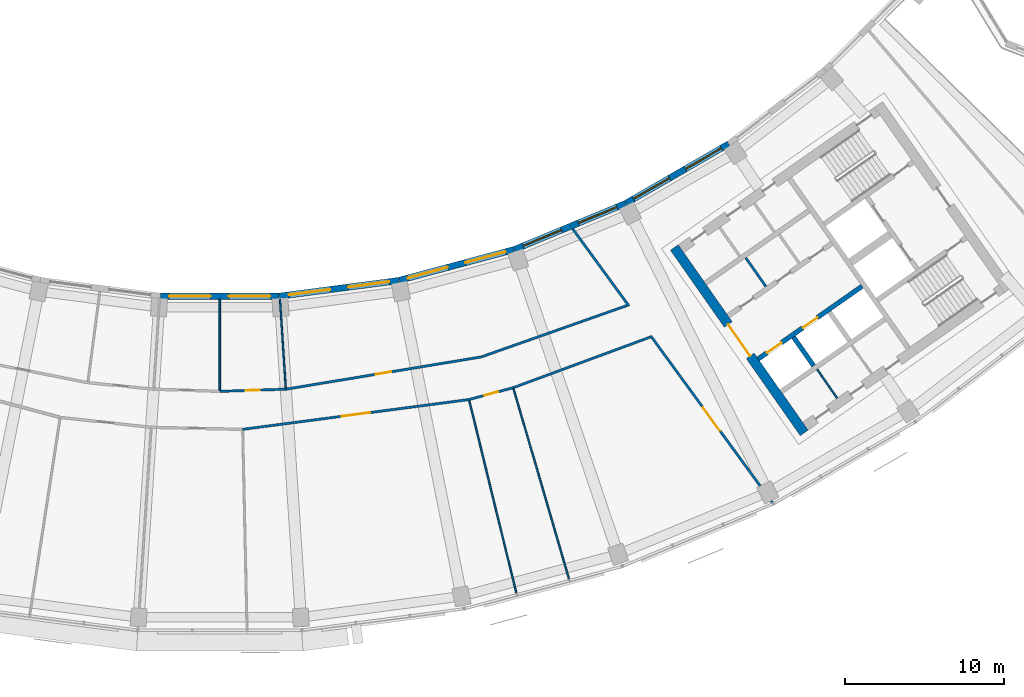
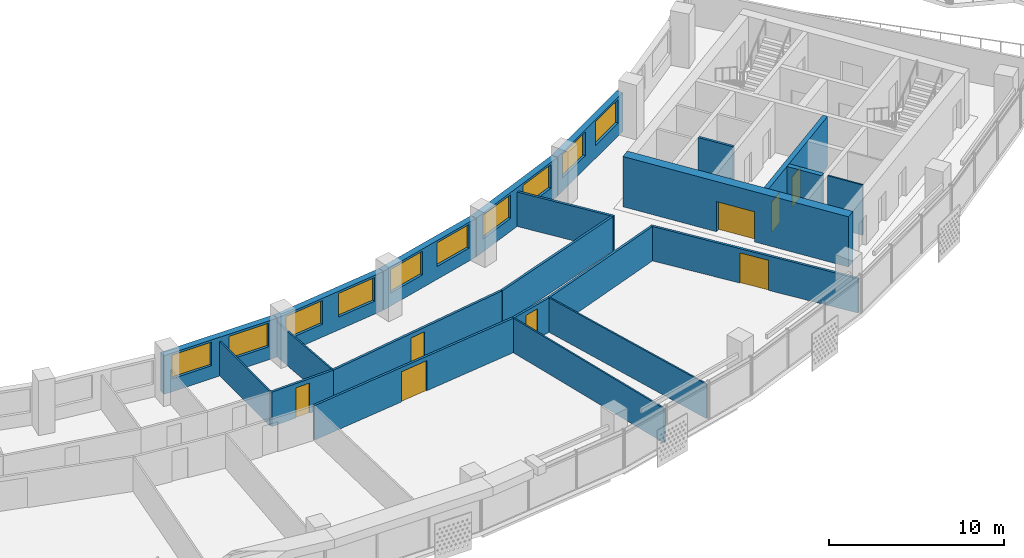
# One storey, part 6 of 29: 22 walls, 10 windows, 8 doors, 18 openings.
"""IFC4 building model written with IfcOpenShell, lengths in metres."""

import ifcopenshell
import ifcopenshell.guid

model = None  # the IFC model being written
_history = None  # IfcOwnerHistory: only IFC2X3 demands one
_inside = {}  # id of a spatial element -> (the spatial element, [elements in it])
_under = {}  # id of a project, library or spatial element -> (it, [spatial elements below it])
_declared = {}  # id of a project -> (the project, [libraries it declares])
_typed = {}  # id of a type object -> (the type object, [elements of that type])
_made_of = {}  # id of a material, layer set ... -> (it, [elements and type objects made of it])


def new_model(schema):
    """Start an empty IFC model of exactly this schema.

    Asked for "IFC4X3", IfcOpenShell would pick the latest addendum, in which some entities
    have other attributes; the version numbers below select the first issue.
    IFC2X3 requires an IfcOwnerHistory on every rooted entity: one is made here for all.
    """
    global model, _history
    if schema == "IFC4X3":
        model = ifcopenshell.file(schema_version=(4, 3, 0, 0))
    else:
        model = ifcopenshell.file(schema=schema)
    _inside.clear()
    _under.clear()
    _declared.clear()
    _typed.clear()
    _made_of.clear()
    _history = None
    if model.schema == "IFC2X3":
        org = make("IfcOrganization", Name="unknown")
        user = make(
            "IfcPersonAndOrganization",
            ThePerson=make("IfcPerson", FamilyName="unknown"),
            TheOrganization=org,
        )
        app = make(
            "IfcApplication",
            ApplicationDeveloper=org,
            Version="unknown",
            ApplicationFullName="unknown",
            ApplicationIdentifier="unknown",
        )
        _history = make(
            "IfcOwnerHistory",
            OwningUser=user,
            OwningApplication=app,
            ChangeAction="ADDED",
            CreationDate=0,
        )
    return model


def make(cls, **values):
    """One entity of the class cls with the attributes given. An attribute that is None is left unset."""
    return model.create_entity(
        cls, **{name: value for name, value in values.items() if value is not None}
    )


def rooted(cls, **values):
    """An entity with a GlobalId (a new one), such as an element, a storey or a relation."""
    return make(cls, GlobalId=ifcopenshell.guid.new(), OwnerHistory=_history, **values)


def si_unit(unit_type, name, prefix=None):
    """IfcSIUnit, for example si_unit("LENGTHUNIT", "METRE", prefix="MILLI")."""
    return make("IfcSIUnit", UnitType=unit_type, Prefix=prefix, Name=name)


def assignment(units):
    """IfcUnitAssignment: the units of a project."""
    return None if units is None else make("IfcUnitAssignment", Units=units)


def point(xyz):
    """IfcCartesianPoint."""
    return None if xyz is None else make("IfcCartesianPoint", Coordinates=xyz)


def direction(xyz):
    """IfcDirection."""
    return None if xyz is None else make("IfcDirection", DirectionRatios=xyz)


def frame(location, z_axis=None, x_axis=None):
    """IfcAxis2Placement3D, a coordinate frame: its origin and axes. An axis left out is left unset."""
    return make(
        "IfcAxis2Placement3D",
        Location=point(location),
        Axis=direction(z_axis),
        RefDirection=direction(x_axis),
    )


def frame_2d(location, x_axis=None):
    """IfcAxis2Placement2D, a coordinate frame in the plane: its origin and x axis."""
    return make(
        "IfcAxis2Placement2D", Location=point(location), RefDirection=direction(x_axis)
    )


def origin():
    """The frame at (0, 0, 0) with its axes left unset."""
    return frame((0.0, 0.0, 0.0))


def place(relative_to, where):
    """IfcLocalPlacement: puts the frame where relative to a parent placement (None: the world)."""
    return make(
        "IfcLocalPlacement", PlacementRelTo=relative_to, RelativePlacement=where
    )


def context(
    kind, dimensions, precision=None, world=None, true_north=None, identifier=None
):
    """IfcGeometricRepresentationContext, for example the 3D "Model" context."""
    return make(
        "IfcGeometricRepresentationContext",
        ContextIdentifier=identifier,
        ContextType=kind,
        CoordinateSpaceDimension=dimensions,
        Precision=precision,
        WorldCoordinateSystem=world,
        TrueNorth=true_north,
    )


def subcontext(parent, identifier, kind, view, scale=None):
    """IfcGeometricRepresentationSubContext, for example "Body" below "Model"."""
    return make(
        "IfcGeometricRepresentationSubContext",
        ContextIdentifier=identifier,
        ContextType=kind,
        ParentContext=parent,
        TargetScale=scale,
        TargetView=view,
    )


def project(units=None, contexts=None):
    """IfcProject with its units and contexts."""
    return rooted(
        "IfcProject",
        Name="project",
        RepresentationContexts=contexts,
        UnitsInContext=assignment(units),
    )


def spatial(cls, under=None, at=None, **own):
    """A site, building, storey or space (cls), placed at a placement, below another one or the project."""
    s = rooted(cls, ObjectPlacement=at, **own)
    if under is not None:
        _under.setdefault(under.id(), (under, []))[1].append(s)
    return s


def profile(cls, at=None, kind="AREA", **sizes):
    """A parametric profile (cls). Its sizes go by their IFC names, for example OverallWidth=200.0."""
    return make(cls, ProfileType=kind, Position=at, **sizes)


def rectangle(**sizes):
    """IfcRectangleProfileDef."""
    return profile("IfcRectangleProfileDef", **sizes)


def extrude(swept, where, along, depth):
    """IfcExtrudedAreaSolid: the profile swept, set in the frame where, extruded along a direction by depth."""
    return make(
        "IfcExtrudedAreaSolid",
        SweptArea=swept,
        Position=where,
        ExtrudedDirection=direction(along),
        Depth=depth,
    )


def shape(context_of_items, identifier, shape_type, items):
    """IfcShapeRepresentation: the items that make up one representation, for example the "Body"."""
    return make(
        "IfcShapeRepresentation",
        ContextOfItems=context_of_items,
        RepresentationIdentifier=identifier,
        RepresentationType=shape_type,
        Items=items,
    )


def material(Name=None, Category=None):
    """IfcMaterial."""
    return make("IfcMaterial", Name=Name, Category=Category)


def layer(
    of_material, thickness, ventilated=None, Name=None, Category=None, Priority=None
):
    """IfcMaterialLayer: one layer of a wall or slab, of a material (None: an air gap)."""
    return make(
        "IfcMaterialLayer",
        Material=of_material,
        LayerThickness=thickness,
        IsVentilated=ventilated,
        Name=Name,
        Category=Category,
        Priority=Priority,
    )


def layer_set(layers, Name=None):
    """IfcMaterialLayerSet."""
    return make("IfcMaterialLayerSet", MaterialLayers=layers, LayerSetName=Name)


def made_of(thing, what):
    """Note that an element or type object is made of a material, layer set ...; save() writes the relation."""
    if what is not None:
        _made_of.setdefault(what.id(), (what, []))[1].append(thing)
    return thing


def type_object(cls, material=None, **own):
    """A type object (cls), such as IfcWallType, which elements share."""
    return made_of(rooted(cls, **own), material)


def element(
    cls,
    number,
    at=None,
    inside=None,
    cuts=None,
    type_object=None,
    material=None,
    context=None,
    identifier="Body",
    shape_type=None,
    held_by="IfcProductDefinitionShape",
    body=None,
    shapes=None,
    **own,
):
    """One element of the class cls, such as IfcWall. Its Tag is "e" and its number.

    at: its placement. inside: the storey or other place that contains it. cuts: it is an
    opening in that element (IfcRelVoidsElement). A single representation is given by context,
    identifier, shape_type and body (its items); several are given by shapes. held_by: the class
    of the entity that holds the representations. save() writes the other relations.
    """
    e = rooted(cls, Tag="e%d" % number, ObjectPlacement=at, **own)
    if body is not None:
        shapes = [shape(context, identifier, shape_type, body)]
    if shapes is not None:
        e.Representation = make(held_by, Representations=shapes)
    if inside is not None:
        _inside.setdefault(inside.id(), (inside, []))[1].append(e)
    if cuts is not None:
        rooted(
            "IfcRelVoidsElement", RelatingBuildingElement=cuts, RelatedOpeningElement=e
        )
    if type_object is not None:
        _typed.setdefault(type_object.id(), (type_object, []))[1].append(e)
    return made_of(e, material)


def fill(opening, filler):
    """IfcRelFillsElement: the door or window that sits in an opening."""
    return rooted(
        "IfcRelFillsElement",
        RelatingOpeningElement=opening,
        RelatedBuildingElement=filler,
    )


def aggregate(whole, parts):
    """IfcRelAggregates: a whole, such as a stair, and the parts it consists of."""
    return rooted("IfcRelAggregates", RelatingObject=whole, RelatedObjects=parts)


def save(model, path):
    """Write the relations noted so far, then the file.

    IfcRelAggregates (storeys below a building ...), IfcRelContainedInSpatialStructure (elements
    in a storey), IfcRelDefinesByType, IfcRelAssociatesMaterial and IfcRelDeclares: one each for
    every whole, place, type object, material and project.
    """
    for whole, parts in _under.values():
        aggregate(whole, parts)
    for where, things in _inside.values():
        rooted(
            "IfcRelContainedInSpatialStructure",
            RelatedElements=things,
            RelatingStructure=where,
        )
    for kind, things in _typed.values():
        rooted("IfcRelDefinesByType", RelatedObjects=things, RelatingType=kind)
    for what, things in _made_of.values():
        rooted("IfcRelAssociatesMaterial", RelatedObjects=things, RelatingMaterial=what)
    for by, libraries in _declared.values():
        rooted("IfcRelDeclares", RelatingContext=by, RelatedDefinitions=libraries)
    model.write(path)


model = new_model("IFC4")

# Units and contexts
model_context = context("Model", 3, precision=1e-05, world=origin(), true_north=direction((0.0, 1.0)))
body_context = subcontext(model_context, "Body", "Model", "MODEL_VIEW")
ifc_project = project(units=[si_unit("LENGTHUNIT", "METRE"), si_unit("AREAUNIT", "SQUARE_METRE"), si_unit("VOLUMEUNIT", "CUBIC_METRE"), si_unit("PLANEANGLEUNIT", "RADIAN"), si_unit("MASSUNIT", "GRAM", prefix="KILO")], contexts=[model_context])

# Site, building, storey
site_placement = place(None, origin())
site = spatial("IfcSite", under=ifc_project, at=site_placement, CompositionType="ELEMENT")
building_placement = place(site_placement, origin())
building = spatial("IfcBuilding", under=site, at=building_placement, Name="Qamariyya Broadcast Tower", CompositionType="ELEMENT")
storey_placement = place(building_placement, frame((0.0, 0.0, 207.5)))
storey = spatial("IfcBuildingStorey", under=building, at=storey_placement, Name="L49", CompositionType="ELEMENT", Elevation=207.5)

# Wall, opening, door
ifc_material_1 = material(Name="Concrete C60/75", Category="concrete")
ifc_layer_1 = layer(ifc_material_1, 0.60009765625)
ifc_layer_set_1 = layer_set([ifc_layer_1], Name="Core wall 600 mm Concrete C60/75")
wall_type_1 = type_object("IfcWallType", Name="Core wall 600 mm Concrete C60/75", PredefinedType="SHEAR", material=ifc_layer_set_1)
wall_1_placement = place(storey_placement, frame((36.66748046875, -66.005126953125, 0.0), z_axis=(0.0, 0.0, 1.0), x_axis=(-0.573568499524, 0.819157601658, 0.0)))
wall_1 = element("IfcWall", 1, at=wall_1_placement, inside=storey, type_object=wall_type_1, Name="k-E-L49-WA", PredefinedType="SHEAR", context=body_context, shape_type="SweptSolid", body=[
    extrude(rectangle(XDim=14.19970703125, YDim=0.60009765625, at=frame_2d((7.099853515625, 0.0))), origin(), (0.0, 0.0, 1.0), 3.5),
])
opening_1_placement = place(wall_1_placement, frame((5.89990234375, 0.0, 0.0)))
opening_1 = element("IfcOpeningElement", 2, at=opening_1_placement, cuts=wall_1, Name="Opening KD3-E1", PredefinedType="OPENING", context=body_context, shape_type="SweptSolid", body=[
    extrude(rectangle(XDim=2.39990234375, YDim=2.10009765625, at=frame_2d((1.199951171875, 1.050048828125))), frame((0.0, 0.31005859375, 0.0), z_axis=(0.0, -1.0, 0.0), x_axis=(1.0, 0.0, 0.0)), (0.0, 0.0, 1.0), 0.6201171875),
])
ifc_material_2 = material(Name="Steel fire-resisting door leaf", Category="steel")
door_type_1 = type_object("IfcDoorType", Name="Lift lobby door KD3", OperationType="DOUBLE_DOOR_SINGLE_SWING", PredefinedType="DOOR", material=ifc_material_2)
door_1_placement = place(opening_1_placement, origin())
door_1 = element("IfcDoor", 3, at=door_1_placement, inside=storey, type_object=door_type_1, Name="k-E-L49-WA-D1", OperationType="DOUBLE_DOOR_SINGLE_SWING", OverallHeight=2.10009765625, OverallWidth=2.39990234375, PredefinedType="DOOR", context=body_context, shape_type="SweptSolid", body=[
    extrude(rectangle(XDim=2.39990234375, YDim=2.10009765625, at=frame_2d((1.199951171875, 1.050048828125))), frame((0.0, 0.02490234375, 0.0), z_axis=(0.0, -1.0, 0.0), x_axis=(1.0, 0.0, 0.0)), (0.0, 0.0, 1.0), 0.050048828125),
])
fill(opening_1, door_1)

ifc_material_3 = material(Name="Gypsum board partition")
ifc_layer_2 = layer(ifc_material_3, 0.14990234375)
ifc_layer_set_2 = layer_set([ifc_layer_2], Name="Corridor partition 150 EI 60")
wall_type_2 = type_object("IfcWallType", Name="Corridor partition 150 EI 60", PredefinedType="PARTITIONING", material=ifc_layer_set_2)
wall_2_placement = place(storey_placement, frame((0.0, -63.39990234375, 0.0), z_axis=(0.0, 0.0, 1.0), x_axis=(0.999464584765, 0.032719165634, 0.0)))
wall_2 = element("IfcWall", 4, at=wall_2_placement, inside=storey, type_object=wall_type_2, Name="Partition L49-018", PredefinedType="PARTITIONING", context=body_context, shape_type="SweptSolid", body=[
    extrude(rectangle(XDim=4.148681640625, YDim=0.14990234375, at=frame_2d((2.07421875, 0.0))), origin(), (0.0, 0.0, 1.0), 2.39990234375),
])
opening_2_placement = place(wall_2_placement, frame((1.62451171875, 0.0, 0.0)))
opening_2 = element("IfcOpeningElement", 5, at=opening_2_placement, cuts=wall_2, Name="Opening L49-D12", PredefinedType="OPENING", context=body_context, shape_type="SweptSolid", body=[
    extrude(rectangle(XDim=0.89990234375, YDim=2.10009765625, at=frame_2d((0.449951171875, 1.050048828125))), frame((0.0, 0.0849609375, 0.0), z_axis=(0.0, -1.0, 0.0), x_axis=(1.0, 0.0, 0.0)), (0.0, 0.0, 1.0), 0.169921875),
])
ifc_material_4 = material(Name="Timber fire door leaf", Category="wood")
door_type_2 = type_object("IfcDoorType", Name="Fire door 900 x 2100 FD60", OperationType="NOTDEFINED", PredefinedType="DOOR", material=ifc_material_4)
door_2_placement = place(opening_2_placement, origin())
door_2 = element("IfcDoor", 6, at=door_2_placement, inside=storey, type_object=door_type_2, Name="Door L49-D12", OperationType="SINGLE_SWING_RIGHT", OverallHeight=2.10009765625, OverallWidth=0.89990234375, PredefinedType="DOOR", context=body_context, shape_type="SweptSolid", body=[
    extrude(rectangle(XDim=0.89990234375, YDim=2.10009765625, at=frame_2d((0.449951171875, 1.050048828125))), frame((0.0, 0.02490234375, 0.0), z_axis=(0.0, -1.0, 0.0), x_axis=(1.0, 0.0, 0.0)), (0.0, 0.0, 1.0), 0.050048828125),
])
fill(opening_2, door_2)

wall_3_placement = place(storey_placement, frame((15.637939453125, -63.914794921875, 0.0), z_axis=(0.0, 0.0, 1.0), x_axis=(-0.991446403545, -0.130514477735, 0.0)))
wall_3 = element("IfcWall", 7, at=wall_3_placement, inside=storey, type_object=wall_type_2, Name="Partition L49-020", PredefinedType="PARTITIONING", context=body_context, shape_type="SweptSolid", body=[
    extrude(rectangle(XDim=14.3232421875, YDim=0.14990234375, at=frame_2d((7.16162109375, 0.0))), origin(), (0.0, 0.0, 1.0), 2.39990234375),
])
opening_3_placement = place(wall_3_placement, frame((6.26171875, 0.0, 0.0)))
opening_3 = element("IfcOpeningElement", 8, at=opening_3_placement, cuts=wall_3, Name="Opening L49-D05", PredefinedType="OPENING", context=body_context, shape_type="SweptSolid", body=[
    extrude(rectangle(XDim=1.800048828125, YDim=2.10009765625, at=frame_2d((0.89990234375, 1.050048828125))), frame((0.0, 0.0849609375, 0.0), z_axis=(0.0, -1.0, 0.0), x_axis=(1.0, 0.0, 0.0)), (0.0, 0.0, 1.0), 0.169921875),
])
door_type_3 = type_object("IfcDoorType", Name="Double fire door 1800 x 2100 FD60", OperationType="NOTDEFINED", PredefinedType="DOOR", material=ifc_material_4)
door_3_placement = place(opening_3_placement, origin())
door_3 = element("IfcDoor", 9, at=door_3_placement, inside=storey, type_object=door_type_3, Name="Door L49-D05", OperationType="DOUBLE_DOOR_SINGLE_SWING", OverallHeight=2.10009765625, OverallWidth=1.800048828125, PredefinedType="DOOR", context=body_context, shape_type="SweptSolid", body=[
    extrude(rectangle(XDim=1.800048828125, YDim=2.10009765625, at=frame_2d((0.89990234375, 1.050048828125))), frame((0.0, 0.02490234375, 0.0), z_axis=(0.0, -1.0, 0.0), x_axis=(1.0, 0.0, 0.0)), (0.0, 0.0, 1.0), 0.050048828125),
])
fill(opening_3, door_3)

wall_4_placement = place(storey_placement, frame((4.146484375, -63.26416015625, 0.0), z_axis=(0.0, 0.0, 1.0), x_axis=(0.986644082258, 0.162890929598, 0.0)))
wall_4 = element("IfcWall", 10, at=wall_4_placement, inside=storey, type_object=wall_type_2, Name="Partition L49-023", PredefinedType="PARTITIONING", context=body_context, shape_type="SweptSolid", body=[
    extrude(rectangle(XDim=12.4189453125, YDim=0.14990234375, at=frame_2d((6.20947265625, 0.0))), origin(), (0.0, 0.0, 1.0), 2.39990234375),
])
opening_4_placement = place(wall_4_placement, frame((5.70947265625, 0.0, 0.0)))
opening_4 = element("IfcOpeningElement", 11, at=opening_4_placement, cuts=wall_4, Name="Opening L49-D13", PredefinedType="OPENING", context=body_context, shape_type="SweptSolid", body=[
    extrude(rectangle(XDim=1.0, YDim=2.10009765625, at=frame_2d((0.5, 1.050048828125))), frame((0.0, 0.0849609375, 0.0), z_axis=(0.0, -1.0, 0.0), x_axis=(1.0, 0.0, 0.0)), (0.0, 0.0, 1.0), 0.169921875),
])
door_type_4 = type_object("IfcDoorType", Name="Fire door 1000 x 2100 FD60", OperationType="NOTDEFINED", PredefinedType="DOOR", material=ifc_material_4)
door_4_placement = place(opening_4_placement, origin())
door_4 = element("IfcDoor", 12, at=door_4_placement, inside=storey, type_object=door_type_4, Name="Door L49-D13", OperationType="SINGLE_SWING_RIGHT", OverallHeight=2.10009765625, OverallWidth=1.0, PredefinedType="DOOR", context=body_context, shape_type="SweptSolid", body=[
    extrude(rectangle(XDim=1.0, YDim=2.10009765625, at=frame_2d((0.5, 1.050048828125))), frame((0.0, 0.02490234375, 0.0), z_axis=(0.0, -1.0, 0.0), x_axis=(1.0, 0.0, 0.0)), (0.0, 0.0, 1.0), 0.050048828125),
])
fill(opening_4, door_4)

wall_5_placement = place(storey_placement, frame((18.41455078125, -63.170654296875, 0.0), z_axis=(0.0, 0.0, 1.0), x_axis=(-0.965912791771, -0.258867685687, 0.0)))
wall_5 = element("IfcWall", 13, at=wall_5_placement, inside=storey, type_object=wall_type_2, Name="Partition L49-024", PredefinedType="PARTITIONING", context=body_context, shape_type="SweptSolid", body=[
    extrude(rectangle(XDim=2.87451171875, YDim=0.14990234375, at=frame_2d((1.437255859375, 0.0))), origin(), (0.0, 0.0, 1.0), 2.39990234375),
])
opening_5_placement = place(wall_5_placement, frame((0.9873046875, 0.0, 0.0)))
opening_5 = element("IfcOpeningElement", 14, at=opening_5_placement, cuts=wall_5, Name="Opening L49-D06", PredefinedType="OPENING", context=body_context, shape_type="SweptSolid", body=[
    extrude(rectangle(XDim=0.89990234375, YDim=2.10009765625, at=frame_2d((0.449951171875, 1.050048828125))), frame((0.0, 0.0849609375, 0.0), z_axis=(0.0, -1.0, 0.0), x_axis=(1.0, 0.0, 0.0)), (0.0, 0.0, 1.0), 0.169921875),
])
door_5_placement = place(opening_5_placement, origin())
door_5 = element("IfcDoor", 15, at=door_5_placement, inside=storey, type_object=door_type_2, Name="Door L49-D06", OperationType="SINGLE_SWING_RIGHT", OverallHeight=2.10009765625, OverallWidth=0.89990234375, PredefinedType="DOOR", context=body_context, shape_type="SweptSolid", body=[
    extrude(rectangle(XDim=0.89990234375, YDim=2.10009765625, at=frame_2d((0.449951171875, 1.050048828125))), frame((0.0, 0.02490234375, 0.0), z_axis=(0.0, -1.0, 0.0), x_axis=(1.0, 0.0, 0.0)), (0.0, 0.0, 1.0), 0.050048828125),
])
fill(opening_5, door_5)

# Walls
wall_6_placement = place(storey_placement, frame((16.418212890625, -61.236572265625, 0.0), z_axis=(0.0, 0.0, 1.0), x_axis=(0.943087461988, 0.332544792533, 0.0)))
element("IfcWall", 16, at=wall_6_placement, inside=storey, type_object=wall_type_2, Name="Partition L49-025", PredefinedType="PARTITIONING", context=body_context, shape_type="SweptSolid", body=[
    extrude(rectangle(XDim=9.694580078125, YDim=0.14990234375, at=frame_2d((4.84716796875, 0.0))), origin(), (0.0, 0.0, 1.0), 2.39990234375),
])
wall_7_placement = place(storey_placement, frame((18.41455078125, -63.170654296875, 0.0), z_axis=(0.0, 0.0, 1.0), x_axis=(0.938039704857, 0.34652779414, 0.0)))
element("IfcWall", 17, at=wall_7_placement, inside=storey, type_object=wall_type_2, Name="Partition L49-026", PredefinedType="PARTITIONING", context=body_context, shape_type="SweptSolid", body=[
    extrude(rectangle(XDim=9.160400390625, YDim=0.14990234375, at=frame_2d((4.580078125, 0.0))), origin(), (0.0, 0.0, 1.0), 2.39990234375),
])
wall_8_placement = place(storey_placement, frame((22.135498046875, -53.1943359375, 0.0), z_axis=(0.0, 0.0, 1.0), x_axis=(0.589297062476, -0.807916438846, 0.0)))
element("IfcWall", 18, at=wall_8_placement, inside=storey, type_object=wall_type_2, Name="Partition L49-028", PredefinedType="PARTITIONING", context=body_context, shape_type="SweptSolid", body=[
    extrude(rectangle(XDim=6.008056640625, YDim=0.14990234375, at=frame_2d((3.00390625, 0.0))), origin(), (0.0, 0.0, 1.0), 2.39990234375),
])

# Wall, opening, door
wall_9_placement = place(storey_placement, frame((34.668212890625, -70.37744140625, 0.0), z_axis=(0.0, 0.0, 1.0), x_axis=(-0.589273648147, 0.807933516819, 0.0)))
wall_9 = element("IfcWall", 19, at=wall_9_placement, inside=storey, type_object=wall_type_2, Name="Partition L49-030", PredefinedType="PARTITIONING", context=body_context, shape_type="SweptSolid", body=[
    extrude(rectangle(XDim=12.956298828125, YDim=0.14990234375, at=frame_2d((6.47802734375, 0.0))), origin(), (0.0, 0.0, 1.0), 2.39990234375),
])
opening_6_placement = place(wall_9_placement, frame((5.578125, 0.0, 0.0)))
opening_6 = element("IfcOpeningElement", 20, at=opening_6_placement, cuts=wall_9, Name="Opening L49-D07", PredefinedType="OPENING", context=body_context, shape_type="SweptSolid", body=[
    extrude(rectangle(XDim=1.800048828125, YDim=2.10009765625, at=frame_2d((0.89990234375, 1.050048828125))), frame((0.0, 0.0849609375, 0.0), z_axis=(0.0, -1.0, 0.0), x_axis=(1.0, 0.0, 0.0)), (0.0, 0.0, 1.0), 0.169921875),
])
door_6_placement = place(opening_6_placement, origin())
door_6 = element("IfcDoor", 21, at=door_6_placement, inside=storey, type_object=door_type_3, Name="Door L49-D07", OperationType="DOUBLE_DOOR_SINGLE_SWING", OverallHeight=2.10009765625, OverallWidth=1.800048828125, PredefinedType="DOOR", context=body_context, shape_type="SweptSolid", body=[
    extrude(rectangle(XDim=1.800048828125, YDim=2.10009765625, at=frame_2d((0.89990234375, 1.050048828125))), frame((0.0, 0.02490234375, 0.0), z_axis=(0.0, -1.0, 0.0), x_axis=(1.0, 0.0, 0.0)), (0.0, 0.0, 1.0), 0.050048828125),
])
fill(opening_6, door_6)

# Wall
ifc_material_5 = material(Name="Gypsum board partition on steel studs", Category="steel")
ifc_layer_3 = layer(ifc_material_5, 0.14990234375)
ifc_layer_set_3 = layer_set([ifc_layer_3], Name="Gypsum board partition 150 mm")
wall_type_3 = type_object("IfcWallType", Name="Gypsum board partition 150 mm", PredefinedType="PARTITIONING", material=ifc_layer_set_3)
wall_10_placement = place(storey_placement, frame((34.26611328125, -56.822021484375, 0.0), z_axis=(0.0, 0.0, 1.0), x_axis=(-0.573581496053, 0.819148501424, 0.0)))
element("IfcWall", 22, at=wall_10_placement, inside=storey, type_object=wall_type_3, Name="k-E-L49-NC300", PredefinedType="PARTITIONING", context=body_context, shape_type="SweptSolid", body=[
    extrude(rectangle(XDim=2.2001953125, YDim=0.14990234375, at=frame_2d((1.10009765625, 0.0))), origin(), (0.0, 0.0, 1.0), 3.5),
])

# Wall, openings, doors
ifc_layer_4 = layer(ifc_material_1, 0.300048828125)
ifc_layer_set_4 = layer_set([ifc_layer_4], Name="Lift shaft wall 300 mm Concrete C60/75")
wall_type_4 = type_object("IfcWallType", Name="Lift shaft wall 300 mm Concrete C60/75", PredefinedType="SOLIDWALL", material=ifc_layer_set_4)
wall_11_placement = place(storey_placement, frame((33.787353515625, -61.368896484375, 0.0), z_axis=(0.0, 0.0, 1.0), x_axis=(0.819152564888, 0.573575692858, 0.0)))
wall_11 = element("IfcWall", 23, at=wall_11_placement, inside=storey, type_object=wall_type_4, Name="k-E-L49-SF0", PredefinedType="SOLIDWALL", context=body_context, shape_type="SweptSolid", body=[
    extrude(rectangle(XDim=7.9501953125, YDim=0.300048828125, at=frame_2d((3.97509765625, 0.0))), origin(), (0.0, 0.0, 1.0), 3.5),
])
opening_7_placement = place(wall_11_placement, frame((0.675048828125, 0.0, 0.0)))
opening_7 = element("IfcOpeningElement", 24, at=opening_7_placement, cuts=wall_11, Name="Opening LD", PredefinedType="OPENING", context=body_context, shape_type="SweptSolid", body=[
    extrude(rectangle(XDim=1.10009765625, YDim=2.10009765625, at=frame_2d((0.550048828125, 1.050048828125))), frame((0.0, 0.159912109375, 0.0), z_axis=(0.0, -1.0, 0.0), x_axis=(1.0, 0.0, 0.0)), (0.0, 0.0, 1.0), 0.320068359375),
])
opening_8_placement = place(wall_11_placement, frame((3.425048828125, 0.0, 0.0)))
opening_8 = element("IfcOpeningElement", 25, at=opening_8_placement, cuts=wall_11, Name="Opening LD", PredefinedType="OPENING", context=body_context, shape_type="SweptSolid", body=[
    extrude(rectangle(XDim=1.10009765625, YDim=2.10009765625, at=frame_2d((0.550048828125, 1.050048828125))), frame((0.0, 0.159912109375, 0.0), z_axis=(0.0, -1.0, 0.0), x_axis=(1.0, 0.0, 0.0)), (0.0, 0.0, 1.0), 0.320068359375),
])
door_type_5 = type_object("IfcDoorType", Name="Lift landing door LD", OperationType="DOUBLE_DOOR_SLIDING", PredefinedType="DOOR", material=ifc_material_2)
door_7_placement = place(opening_7_placement, origin())
door_7 = element("IfcDoor", 26, at=door_7_placement, inside=storey, type_object=door_type_5, Name="k-E-L49-SF0-D5", OperationType="DOUBLE_DOOR_SLIDING", OverallHeight=2.10009765625, OverallWidth=1.10009765625, PredefinedType="DOOR", context=body_context, shape_type="SweptSolid", body=[
    extrude(rectangle(XDim=1.10009765625, YDim=2.10009765625, at=frame_2d((0.550048828125, 1.050048828125))), frame((0.0, 0.02490234375, 0.0), z_axis=(0.0, -1.0, 0.0), x_axis=(1.0, 0.0, 0.0)), (0.0, 0.0, 1.0), 0.050048828125),
])
fill(opening_7, door_7)
door_8_placement = place(opening_8_placement, origin())
door_8 = element("IfcDoor", 27, at=door_8_placement, inside=storey, type_object=door_type_5, Name="k-E-L49-SF0-D6", OperationType="DOUBLE_DOOR_SLIDING", OverallHeight=2.10009765625, OverallWidth=1.10009765625, PredefinedType="DOOR", context=body_context, shape_type="SweptSolid", body=[
    extrude(rectangle(XDim=1.10009765625, YDim=2.10009765625, at=frame_2d((0.550048828125, 1.050048828125))), frame((0.0, 0.02490234375, 0.0), z_axis=(0.0, -1.0, 0.0), x_axis=(1.0, 0.0, 0.0)), (0.0, 0.0, 1.0), 0.050048828125),
])
fill(opening_8, door_8)

# Walls
wall_12_placement = place(storey_placement, frame((36.003173828125, -60.000244140625, 0.0), z_axis=(0.0, 0.0, 1.0), x_axis=(0.573581496053, -0.819148501424, 0.0)))
element("IfcWall", 28, at=wall_12_placement, inside=storey, type_object=wall_type_4, Name="k-E-L49-SD0", PredefinedType="SOLIDWALL", context=body_context, shape_type="SweptSolid", body=[
    extrude(rectangle(XDim=2.2001953125, YDim=0.300048828125, at=frame_2d((1.10009765625, 0.0))), origin(), (0.0, 0.0, 1.0), 3.5),
])
ifc_layer_5 = layer(ifc_material_3, 0.10009765625)
ifc_layer_set_5 = layer_set([ifc_layer_5], Name="Partition 100")
wall_type_5 = type_object("IfcWallType", Name="Partition 100", PredefinedType="PARTITIONING", material=ifc_layer_set_5)
wall_13_placement = place(storey_placement, frame((0.0, -57.627197265625, 0.0), z_axis=(0.0, 0.0, 1.0), x_axis=(0.0, -1.0, 0.0)))
element("IfcWall", 29, at=wall_13_placement, inside=storey, type_object=wall_type_5, Name="Partition L49-019", PredefinedType="PARTITIONING", context=body_context, shape_type="SweptSolid", body=[
    extrude(rectangle(XDim=5.69775390625, YDim=0.10009765625, at=frame_2d((2.848876953125, 0.0))), origin(), (0.0, 0.0, 1.0), 2.39990234375),
])
wall_14_placement = place(storey_placement, frame((3.777099609375, -57.62646484375, 0.0), z_axis=(0.0, 0.0, 1.0), x_axis=(0.065382488891, -0.997860275864, 0.0)))
element("IfcWall", 30, at=wall_14_placement, inside=storey, type_object=wall_type_5, Name="Partition L49-022", PredefinedType="PARTITIONING", context=body_context, shape_type="SweptSolid", body=[
    extrude(rectangle(XDim=5.574951171875, YDim=0.10009765625, at=frame_2d((2.78759765625, 0.0))), origin(), (0.0, 0.0, 1.0), 2.39990234375),
])
wall_15_placement = place(storey_placement, frame((18.60888671875, -76.056884765625, 0.0), z_axis=(0.0, 0.0, 1.0), x_axis=(-0.237668980718, 0.971346207901, 0.0)))
element("IfcWall", 31, at=wall_15_placement, inside=storey, type_object=wall_type_5, Name="Partition L49-027", PredefinedType="PARTITIONING", context=body_context, shape_type="SweptSolid", body=[
    extrude(rectangle(XDim=12.42529296875, YDim=0.10009765625, at=frame_2d((6.212646484375, 0.0))), origin(), (0.0, 0.0, 1.0), 2.39990234375),
])
wall_16_placement = place(storey_placement, frame((21.912841796875, -75.171630859375, 0.0), z_axis=(0.0, 0.0, 1.0), x_axis=(-0.27985286912, 0.96004290094, 0.0)))
element("IfcWall", 32, at=wall_16_placement, inside=storey, type_object=wall_type_5, Name="Partition L49-029", PredefinedType="PARTITIONING", context=body_context, shape_type="SweptSolid", body=[
    extrude(rectangle(XDim=12.425537109375, YDim=0.10009765625, at=frame_2d((6.212890625, 0.0))), origin(), (0.0, 0.0, 1.0), 2.39990234375),
])
ifc_material_6 = material(Name="Fire-rated gypsum shaft liner on steel studs", Category="steel")
ifc_layer_6 = layer(ifc_material_6, 0.10009765625)
ifc_layer_set_6 = layer_set([ifc_layer_6], Name="Riser wall 100 mm")
wall_type_6 = type_object("IfcWallType", Name="Riser wall 100 mm", PredefinedType="PLUMBINGWALL", material=ifc_layer_set_6)
wall_17_placement = place(storey_placement, frame((37.47802734375, -62.01953125, 0.0), z_axis=(0.0, 0.0, 1.0), x_axis=(0.573581496053, -0.819148501424, 0.0)))
element("IfcWall", 33, at=wall_17_placement, inside=storey, type_object=wall_type_6, Name="k-E-L49-SP265", PredefinedType="PLUMBINGWALL", context=body_context, shape_type="SweptSolid", body=[
    extrude(rectangle(XDim=2.2001953125, YDim=0.10009765625, at=frame_2d((1.10009765625, 0.0))), origin(), (0.0, 0.0, 1.0), 3.5),
])

# Wall, openings, windows
ifc_material_7 = material(Name="Terracotta", Category="masonry")
ifc_layer_7 = layer(ifc_material_7, 0.39990234375)
ifc_layer_set_7 = layer_set([ifc_layer_7], Name="Terracotta clad wall 400")
wall_type_7 = type_object("IfcWallType", Name="Terracotta clad wall 400", PredefinedType="SOLIDWALL", material=ifc_layer_set_7)
wall_18_placement = place(storey_placement, frame((18.449951171875, -54.50927734375, 0.0), z_axis=(0.0, 0.0, 1.0), x_axis=(-0.965924866111, -0.25882262851, 0.0)))
wall_18 = element("IfcWall", 34, at=wall_18_placement, inside=storey, type_object=wall_type_7, Name="e-wl-L49-in100", PredefinedType="SOLIDWALL", context=body_context, shape_type="SweptSolid", body=[
    extrude(rectangle(XDim=7.426513671875, YDim=0.39990234375, at=frame_2d((3.71337890625, 0.0))), origin(), (0.0, 0.0, 1.0), 2.699951171875),
])
opening_9_placement = place(wall_18_placement, frame((4.28857421875, 0.0, 0.89990234375)))
opening_9 = element("IfcOpeningElement", 35, at=opening_9_placement, cuts=wall_18, Name="Opening W1", PredefinedType="OPENING", context=body_context, shape_type="SweptSolid", body=[
    extrude(rectangle(XDim=2.60009765625, YDim=1.64990234375, at=frame_2d((1.300048828125, 0.824951171875))), frame((0.0, 0.2099609375, 0.0), z_axis=(0.0, -1.0, 0.0), x_axis=(1.0, 0.0, 0.0)), (0.0, 0.0, 1.0), 0.419921875),
])
opening_10_placement = place(wall_18_placement, frame((0.537841796875, 0.0, 0.89990234375)))
opening_10 = element("IfcOpeningElement", 36, at=opening_10_placement, cuts=wall_18, Name="Opening W1", PredefinedType="OPENING", context=body_context, shape_type="SweptSolid", body=[
    extrude(rectangle(XDim=2.60009765625, YDim=1.64990234375, at=frame_2d((1.300048828125, 0.824951171875))), frame((0.0, 0.2099609375, 0.0), z_axis=(0.0, -1.0, 0.0), x_axis=(1.0, 0.0, 0.0)), (0.0, 0.0, 1.0), 0.419921875),
])
ifc_material_8 = material(Name="Clear low-e double glazed unit in aluminium frame", Category="aluminium")
window_type = type_object("IfcWindowType", Name="Ribbon window 2600 x 1650", PartitioningType="SINGLE_PANEL", PredefinedType="WINDOW", material=ifc_material_8)
window_1_placement = place(opening_9_placement, origin())
window_1 = element("IfcWindow", 37, at=window_1_placement, inside=storey, type_object=window_type, Name="e-w-L49-in10-0", OverallHeight=1.64990234375, OverallWidth=2.60009765625, PartitioningType="SINGLE_PANEL", PredefinedType="WINDOW", context=body_context, shape_type="SweptSolid", body=[
    extrude(rectangle(XDim=2.60009765625, YDim=1.64990234375, at=frame_2d((1.300048828125, 0.824951171875))), frame((0.0, 0.030029296875, 0.0), z_axis=(0.0, -1.0, 0.0), x_axis=(1.0, 0.0, 0.0)), (0.0, 0.0, 1.0), 0.06005859375),
])
fill(opening_9, window_1)
window_2_placement = place(opening_10_placement, origin())
window_2 = element("IfcWindow", 38, at=window_2_placement, inside=storey, type_object=window_type, Name="e-w-L49-in10-1", OverallHeight=1.64990234375, OverallWidth=2.60009765625, PartitioningType="SINGLE_PANEL", PredefinedType="WINDOW", context=body_context, shape_type="SweptSolid", body=[
    extrude(rectangle(XDim=2.60009765625, YDim=1.64990234375, at=frame_2d((1.300048828125, 0.824951171875))), frame((0.0, 0.030029296875, 0.0), z_axis=(0.0, -1.0, 0.0), x_axis=(1.0, 0.0, 0.0)), (0.0, 0.0, 1.0), 0.06005859375),
])
fill(opening_10, window_2)

wall_19_placement = place(storey_placement, frame((25.47705078125, -51.60595703125, 0.0), z_axis=(0.0, 0.0, 1.0), x_axis=(-0.923884115122, -0.382672368777, 0.0)))
wall_19 = element("IfcWall", 39, at=wall_19_placement, inside=storey, type_object=wall_type_7, Name="e-wl-L49-in110", PredefinedType="SOLIDWALL", context=body_context, shape_type="SweptSolid", body=[
    extrude(rectangle(XDim=7.578125, YDim=0.39990234375, at=frame_2d((3.7890625, 0.0))), origin(), (0.0, 0.0, 1.0), 2.699951171875),
])
opening_11_placement = place(wall_19_placement, frame((4.364501953125, 0.0, 0.89990234375)))
opening_11 = element("IfcOpeningElement", 40, at=opening_11_placement, cuts=wall_19, Name="Opening W1", PredefinedType="OPENING", context=body_context, shape_type="SweptSolid", body=[
    extrude(rectangle(XDim=2.60009765625, YDim=1.64990234375, at=frame_2d((1.300048828125, 0.824951171875))), frame((0.0, 0.2099609375, 0.0), z_axis=(0.0, -1.0, 0.0), x_axis=(1.0, 0.0, 0.0)), (0.0, 0.0, 1.0), 0.419921875),
])
opening_12_placement = place(wall_19_placement, frame((0.613525390625, 0.0, 0.89990234375)))
opening_12 = element("IfcOpeningElement", 41, at=opening_12_placement, cuts=wall_19, Name="Opening W1", PredefinedType="OPENING", context=body_context, shape_type="SweptSolid", body=[
    extrude(rectangle(XDim=2.60009765625, YDim=1.64990234375, at=frame_2d((1.300048828125, 0.824951171875))), frame((0.0, 0.2099609375, 0.0), z_axis=(0.0, -1.0, 0.0), x_axis=(1.0, 0.0, 0.0)), (0.0, 0.0, 1.0), 0.419921875),
])
window_3_placement = place(opening_11_placement, origin())
window_3 = element("IfcWindow", 42, at=window_3_placement, inside=storey, type_object=window_type, Name="e-w-L49-in11-0", OverallHeight=1.64990234375, OverallWidth=2.60009765625, PartitioningType="SINGLE_PANEL", PredefinedType="WINDOW", context=body_context, shape_type="SweptSolid", body=[
    extrude(rectangle(XDim=2.60009765625, YDim=1.64990234375, at=frame_2d((1.300048828125, 0.824951171875))), frame((0.0, 0.030029296875, 0.0), z_axis=(0.0, -1.0, 0.0), x_axis=(1.0, 0.0, 0.0)), (0.0, 0.0, 1.0), 0.06005859375),
])
fill(opening_11, window_3)
window_4_placement = place(opening_12_placement, origin())
window_4 = element("IfcWindow", 43, at=window_4_placement, inside=storey, type_object=window_type, Name="e-w-L49-in11-1", OverallHeight=1.64990234375, OverallWidth=2.60009765625, PartitioningType="SINGLE_PANEL", PredefinedType="WINDOW", context=body_context, shape_type="SweptSolid", body=[
    extrude(rectangle(XDim=2.60009765625, YDim=1.64990234375, at=frame_2d((1.300048828125, 0.824951171875))), frame((0.0, 0.030029296875, 0.0), z_axis=(0.0, -1.0, 0.0), x_axis=(1.0, 0.0, 0.0)), (0.0, 0.0, 1.0), 0.06005859375),
])
fill(opening_12, window_4)

wall_20_placement = place(storey_placement, frame((31.929443359375, -47.876708984375, 0.0), z_axis=(0.0, 0.0, 1.0), x_axis=(-0.866021353871, -0.500007014591, 0.0)))
wall_20 = element("IfcWall", 44, at=wall_20_placement, inside=storey, type_object=wall_type_7, Name="e-wl-L49-in120", PredefinedType="SOLIDWALL", context=body_context, shape_type="SweptSolid", body=[
    extrude(rectangle(XDim=7.4267578125, YDim=0.39990234375, at=frame_2d((3.71337890625, 0.0))), origin(), (0.0, 0.0, 1.0), 2.699951171875),
])
opening_13_placement = place(wall_20_placement, frame((4.28857421875, 0.0, 0.89990234375)))
opening_13 = element("IfcOpeningElement", 45, at=opening_13_placement, cuts=wall_20, Name="Opening W1", PredefinedType="OPENING", context=body_context, shape_type="SweptSolid", body=[
    extrude(rectangle(XDim=2.60009765625, YDim=1.64990234375, at=frame_2d((1.300048828125, 0.824951171875))), frame((0.0, 0.2099609375, 0.0), z_axis=(0.0, -1.0, 0.0), x_axis=(1.0, 0.0, 0.0)), (0.0, 0.0, 1.0), 0.419921875),
])
opening_14_placement = place(wall_20_placement, frame((0.537841796875, 0.0, 0.89990234375)))
opening_14 = element("IfcOpeningElement", 46, at=opening_14_placement, cuts=wall_20, Name="Opening W1", PredefinedType="OPENING", context=body_context, shape_type="SweptSolid", body=[
    extrude(rectangle(XDim=2.60009765625, YDim=1.64990234375, at=frame_2d((1.300048828125, 0.824951171875))), frame((0.0, 0.2099609375, 0.0), z_axis=(0.0, -1.0, 0.0), x_axis=(1.0, 0.0, 0.0)), (0.0, 0.0, 1.0), 0.419921875),
])
window_5_placement = place(opening_13_placement, origin())
window_5 = element("IfcWindow", 47, at=window_5_placement, inside=storey, type_object=window_type, Name="e-w-L49-in12-0", OverallHeight=1.64990234375, OverallWidth=2.60009765625, PartitioningType="SINGLE_PANEL", PredefinedType="WINDOW", context=body_context, shape_type="SweptSolid", body=[
    extrude(rectangle(XDim=2.60009765625, YDim=1.64990234375, at=frame_2d((1.300048828125, 0.824951171875))), frame((0.0, 0.030029296875, 0.0), z_axis=(0.0, -1.0, 0.0), x_axis=(1.0, 0.0, 0.0)), (0.0, 0.0, 1.0), 0.06005859375),
])
fill(opening_13, window_5)
window_6_placement = place(opening_14_placement, origin())
window_6 = element("IfcWindow", 48, at=window_6_placement, inside=storey, type_object=window_type, Name="e-w-L49-in12-1", OverallHeight=1.64990234375, OverallWidth=2.60009765625, PartitioningType="SINGLE_PANEL", PredefinedType="WINDOW", context=body_context, shape_type="SweptSolid", body=[
    extrude(rectangle(XDim=2.60009765625, YDim=1.64990234375, at=frame_2d((1.300048828125, 0.824951171875))), frame((0.0, 0.030029296875, 0.0), z_axis=(0.0, -1.0, 0.0), x_axis=(1.0, 0.0, 0.0)), (0.0, 0.0, 1.0), 0.06005859375),
])
fill(opening_14, window_6)

wall_21_placement = place(storey_placement, frame((3.713134765625, -57.42724609375, 0.0), z_axis=(0.0, 0.0, 1.0), x_axis=(-1.0, 0.0, 0.0)))
wall_21 = element("IfcWall", 49, at=wall_21_placement, inside=storey, type_object=wall_type_7, Name="e-wl-L49-in80", PredefinedType="SOLIDWALL", context=body_context, shape_type="SweptSolid", body=[
    extrude(rectangle(XDim=7.42626953125, YDim=0.39990234375, at=frame_2d((3.713134765625, 0.0))), origin(), (0.0, 0.0, 1.0), 2.699951171875),
])
opening_15_placement = place(wall_21_placement, frame((4.28857421875, 0.0, 0.89990234375)))
opening_15 = element("IfcOpeningElement", 50, at=opening_15_placement, cuts=wall_21, Name="Opening W1", PredefinedType="OPENING", context=body_context, shape_type="SweptSolid", body=[
    extrude(rectangle(XDim=2.60009765625, YDim=1.64990234375, at=frame_2d((1.300048828125, 0.824951171875))), frame((0.0, 0.2099609375, 0.0), z_axis=(0.0, -1.0, 0.0), x_axis=(1.0, 0.0, 0.0)), (0.0, 0.0, 1.0), 0.419921875),
])
opening_16_placement = place(wall_21_placement, frame((0.537841796875, 0.0, 0.89990234375)))
opening_16 = element("IfcOpeningElement", 51, at=opening_16_placement, cuts=wall_21, Name="Opening W1", PredefinedType="OPENING", context=body_context, shape_type="SweptSolid", body=[
    extrude(rectangle(XDim=2.60009765625, YDim=1.64990234375, at=frame_2d((1.300048828125, 0.824951171875))), frame((0.0, 0.2099609375, 0.0), z_axis=(0.0, -1.0, 0.0), x_axis=(1.0, 0.0, 0.0)), (0.0, 0.0, 1.0), 0.419921875),
])
window_7_placement = place(opening_15_placement, origin())
window_7 = element("IfcWindow", 52, at=window_7_placement, inside=storey, type_object=window_type, Name="e-w-L49-in08-0", OverallHeight=1.64990234375, OverallWidth=2.60009765625, PartitioningType="SINGLE_PANEL", PredefinedType="WINDOW", context=body_context, shape_type="SweptSolid", body=[
    extrude(rectangle(XDim=2.60009765625, YDim=1.64990234375, at=frame_2d((1.300048828125, 0.824951171875))), frame((0.0, 0.030029296875, 0.0), z_axis=(0.0, -1.0, 0.0), x_axis=(1.0, 0.0, 0.0)), (0.0, 0.0, 1.0), 0.06005859375),
])
fill(opening_15, window_7)
window_8_placement = place(opening_16_placement, origin())
window_8 = element("IfcWindow", 53, at=window_8_placement, inside=storey, type_object=window_type, Name="e-w-L49-in08-1", OverallHeight=1.64990234375, OverallWidth=2.60009765625, PartitioningType="SINGLE_PANEL", PredefinedType="WINDOW", context=body_context, shape_type="SweptSolid", body=[
    extrude(rectangle(XDim=2.60009765625, YDim=1.64990234375, at=frame_2d((1.300048828125, 0.824951171875))), frame((0.0, 0.030029296875, 0.0), z_axis=(0.0, -1.0, 0.0), x_axis=(1.0, 0.0, 0.0)), (0.0, 0.0, 1.0), 0.06005859375),
])
fill(opening_16, window_8)

wall_22_placement = place(storey_placement, frame((11.252197265625, -56.44140625, 0.0), z_axis=(0.0, 0.0, 1.0), x_axis=(-0.991446288508, -0.130515351599, 0.0)))
wall_22 = element("IfcWall", 54, at=wall_22_placement, inside=storey, type_object=wall_type_7, Name="e-wl-L49-in90", PredefinedType="SOLIDWALL", context=body_context, shape_type="SweptSolid", body=[
    extrude(rectangle(XDim=7.57763671875, YDim=0.39990234375, at=frame_2d((3.788818359375, 0.0))), origin(), (0.0, 0.0, 1.0), 2.699951171875),
])
opening_17_placement = place(wall_22_placement, frame((4.364501953125, 0.0, 0.89990234375)))
opening_17 = element("IfcOpeningElement", 55, at=opening_17_placement, cuts=wall_22, Name="Opening W1", PredefinedType="OPENING", context=body_context, shape_type="SweptSolid", body=[
    extrude(rectangle(XDim=2.60009765625, YDim=1.64990234375, at=frame_2d((1.300048828125, 0.824951171875))), frame((0.0, 0.2099609375, 0.0), z_axis=(0.0, -1.0, 0.0), x_axis=(1.0, 0.0, 0.0)), (0.0, 0.0, 1.0), 0.419921875),
])
opening_18_placement = place(wall_22_placement, frame((0.613525390625, 0.0, 0.89990234375)))
opening_18 = element("IfcOpeningElement", 56, at=opening_18_placement, cuts=wall_22, Name="Opening W1", PredefinedType="OPENING", context=body_context, shape_type="SweptSolid", body=[
    extrude(rectangle(XDim=2.60009765625, YDim=1.64990234375, at=frame_2d((1.300048828125, 0.824951171875))), frame((0.0, 0.2099609375, 0.0), z_axis=(0.0, -1.0, 0.0), x_axis=(1.0, 0.0, 0.0)), (0.0, 0.0, 1.0), 0.419921875),
])
window_9_placement = place(opening_17_placement, origin())
window_9 = element("IfcWindow", 57, at=window_9_placement, inside=storey, type_object=window_type, Name="e-w-L49-in09-0", OverallHeight=1.64990234375, OverallWidth=2.60009765625, PartitioningType="SINGLE_PANEL", PredefinedType="WINDOW", context=body_context, shape_type="SweptSolid", body=[
    extrude(rectangle(XDim=2.60009765625, YDim=1.64990234375, at=frame_2d((1.300048828125, 0.824951171875))), frame((0.0, 0.030029296875, 0.0), z_axis=(0.0, -1.0, 0.0), x_axis=(1.0, 0.0, 0.0)), (0.0, 0.0, 1.0), 0.06005859375),
])
fill(opening_17, window_9)
window_10_placement = place(opening_18_placement, origin())
window_10 = element("IfcWindow", 58, at=window_10_placement, inside=storey, type_object=window_type, Name="e-w-L49-in09-1", OverallHeight=1.64990234375, OverallWidth=2.60009765625, PartitioningType="SINGLE_PANEL", PredefinedType="WINDOW", context=body_context, shape_type="SweptSolid", body=[
    extrude(rectangle(XDim=2.60009765625, YDim=1.64990234375, at=frame_2d((1.300048828125, 0.824951171875))), frame((0.0, 0.030029296875, 0.0), z_axis=(0.0, -1.0, 0.0), x_axis=(1.0, 0.0, 0.0)), (0.0, 0.0, 1.0), 0.06005859375),
])
fill(opening_18, window_10)

save(model, "model.ifc")
